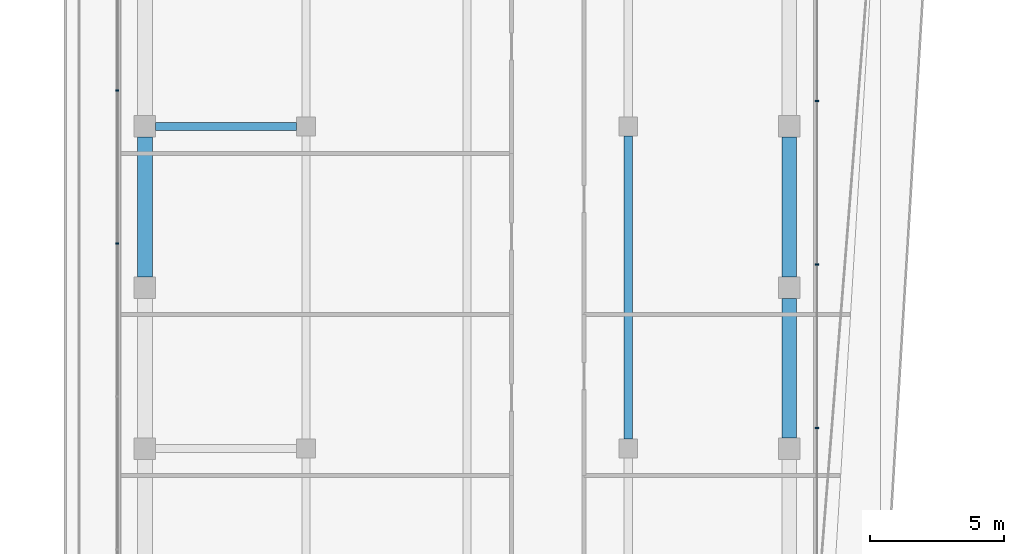
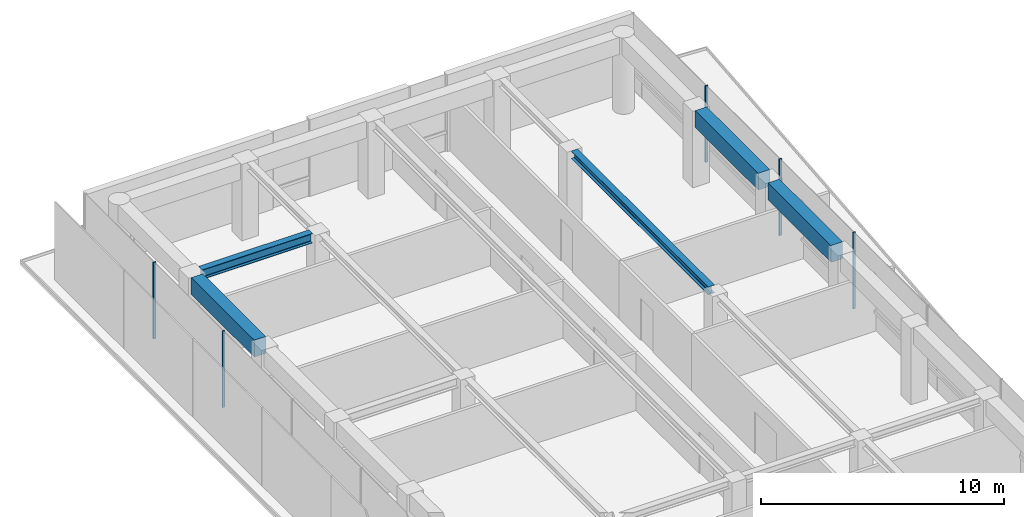
# One storey, part 12 of 19: 5 beams, 5 members, 2 elements without a shape of their own.
"""IFC4 building model written with IfcOpenShell, lengths in metres."""

from ifc_helpers import new_model, si_unit, direction, frame, origin, origin_2d, place, context, subcontext, project, spatial, rectangle, i_section, extrude, material, layer, layer_set, material_profile, profile_set, type_object, element, aggregate, save


model = new_model("IFC4")

# Units and contexts
model_context = context("Model", 3, precision=1e-05, world=origin(), true_north=direction((0.0, 1.0)))
body_context = subcontext(model_context, "Body", "Model", "MODEL_VIEW")
ifc_project = project(units=[si_unit("LENGTHUNIT", "METRE"), si_unit("AREAUNIT", "SQUARE_METRE"), si_unit("VOLUMEUNIT", "CUBIC_METRE"), si_unit("PLANEANGLEUNIT", "RADIAN"), si_unit("MASSUNIT", "GRAM", prefix="KILO")], contexts=[model_context])

# Site, building, storey
site_placement = place(None, origin())
site = spatial("IfcSite", under=ifc_project, at=site_placement, CompositionType="ELEMENT")
building_placement = place(site_placement, origin())
building = spatial("IfcBuilding", under=site, at=building_placement, Name="Welwitschia Terrace Campus", CompositionType="ELEMENT")
storey_placement = place(building_placement, frame((0.0, 0.0, 243.199951171875)))
storey = spatial("IfcBuildingStorey", under=building, at=storey_placement, Name="L54", CompositionType="ELEMENT", Elevation=243.199951171875)

# Beam
ifc_material_1 = material(Name="Steel S355", Category="steel")
ifc_material_profile_1 = material_profile(ifc_material_1, i_section(OverallWidth=0.300048828125, OverallDepth=0.389892578125, WebThickness=0.010986328125, FlangeThickness=0.01904296875, FilletRadius=0.027099609375, at=origin_2d()))
ifc_profile_set_1 = profile_set([ifc_material_profile_1], Name="Steel S355")
beam_type_1 = type_object("IfcBeamType", Name="Interior girder HE 400 A", PredefinedType="BEAM", material=ifc_profile_set_1)
beam_1_placement = place(storey_placement, frame((18.0, 52.3505859375, 3.655029296875), z_axis=(0.0, 1.0, 0.0), x_axis=(-1.0, 0.0, 0.0)))
element("IfcBeam", 1, at=beam_1_placement, inside=storey, type_object=beam_type_1, Name="Girder GB5", PredefinedType="BEAM", context=body_context, shape_type="SweptSolid", body=[
    extrude(i_section(OverallWidth=0.300048828125, OverallDepth=0.389892578125, WebThickness=0.010986328125, FlangeThickness=0.01904296875, FilletRadius=0.027099609375, at=origin_2d()), origin(), (0.0, 0.0, 1.0), 11.298828125),
])

# Curtain wall, members
ifc_material_2 = material(Name="Bronze anodised aluminium", Category="aluminium")
ifc_layer = layer(ifc_material_2, 0.1201171875)
ifc_layer_set = layer_set([ifc_layer], Name="Bronze anodised aluminium")
curtain_wall_type = type_object("IfcCurtainWallType", Name="Curtain wall CW2 tower 6000", PredefinedType="NOTDEFINED", material=ifc_layer_set)
curtain_wall_1_placement = place(storey_placement, origin())
curtain_wall_1 = element("IfcCurtainWall", 2, at=curtain_wall_1_placement, inside=storey, type_object=curtain_wall_type, Name="CW L54.6.0", PredefinedType="NOTDEFINED")
ifc_material_3 = material(Name="Bronze anodised aluminium", Category="aluminium")
ifc_material_profile_2 = material_profile(ifc_material_3, rectangle(XDim=0.1201171875, YDim=0.06005859375, at=origin_2d()))
ifc_profile_set_2 = profile_set([ifc_material_profile_2], Name="Bronze anodised aluminium")
member_type = type_object("IfcMemberType", Name="Mullion 60x120", PredefinedType="MULLION", material=ifc_profile_set_2)
member_1_placement = place(storey_placement, frame((25.030029296875, 52.771484375, 0.0), z_axis=(0.0, 0.0, 1.0), x_axis=(-1.0, 0.0, 0.0)))
member_1 = element("IfcMember", 3, at=member_1_placement, type_object=member_type, Name="Mullion L54.6.0.4", PredefinedType="MULLION", context=body_context, shape_type="SweptSolid", body=[
    extrude(rectangle(XDim=0.1201171875, YDim=0.06005859375, at=origin_2d()), origin(), (0.0, 0.0, 1.0), 3.85009765625),
])
member_2_placement = place(storey_placement, frame((25.030029296875, 58.857666015625, 0.0), z_axis=(0.0, 0.0, 1.0), x_axis=(-1.0, 0.0, 0.0)))
member_2 = element("IfcMember", 4, at=member_2_placement, type_object=member_type, Name="Mullion L54.6.0.5", PredefinedType="MULLION", context=body_context, shape_type="SweptSolid", body=[
    extrude(rectangle(XDim=0.1201171875, YDim=0.06005859375, at=origin_2d()), origin(), (0.0, 0.0, 1.0), 3.85009765625),
])
member_3_placement = place(storey_placement, frame((25.030029296875, 64.94384765625, 0.0), z_axis=(0.0, 0.0, 1.0), x_axis=(-1.0, 0.0, 0.0)))
member_3 = element("IfcMember", 5, at=member_3_placement, type_object=member_type, Name="Mullion L54.6.0.6", PredefinedType="MULLION", context=body_context, shape_type="SweptSolid", body=[
    extrude(rectangle(XDim=0.1201171875, YDim=0.06005859375, at=origin_2d()), origin(), (0.0, 0.0, 1.0), 3.85009765625),
])
aggregate(curtain_wall_1, [member_1, member_2, member_3])

curtain_wall_2_placement = place(storey_placement, origin())
curtain_wall_2 = element("IfcCurtainWall", 6, at=curtain_wall_2_placement, inside=storey, type_object=curtain_wall_type, Name="CW L54.8.0", PredefinedType="NOTDEFINED")
member_4_placement = place(storey_placement, frame((-1.030029296875, 65.332763671875, 0.0), z_axis=(0.0, 0.0, 1.0), x_axis=(1.0, 0.0, 0.0)))
member_4 = element("IfcMember", 7, at=member_4_placement, type_object=member_type, Name="Mullion L54.8.0.1", PredefinedType="MULLION", context=body_context, shape_type="SweptSolid", body=[
    extrude(rectangle(XDim=0.1201171875, YDim=0.06005859375, at=origin_2d()), origin(), (0.0, 0.0, 1.0), 3.85009765625),
])
member_5_placement = place(storey_placement, frame((-1.030029296875, 59.635498046875, 0.0), z_axis=(0.0, 0.0, 1.0), x_axis=(1.0, 0.0, 0.0)))
member_5 = element("IfcMember", 8, at=member_5_placement, type_object=member_type, Name="Mullion L54.8.0.2", PredefinedType="MULLION", context=body_context, shape_type="SweptSolid", body=[
    extrude(rectangle(XDim=0.1201171875, YDim=0.06005859375, at=origin_2d()), origin(), (0.0, 0.0, 1.0), 3.85009765625),
])
aggregate(curtain_wall_2, [member_4, member_5])

# Beams
ifc_material_4 = material(Name="Steel S355", Category="steel")
ifc_material_profile_3 = material_profile(ifc_material_4, i_section(OverallWidth=0.300048828125, OverallDepth=0.489990234375, WebThickness=0.011962890625, FlangeThickness=0.02294921875, FilletRadius=0.027099609375, at=origin_2d()))
ifc_profile_set_3 = profile_set([ifc_material_profile_3], Name="Steel S355")
beam_type_2 = type_object("IfcBeamType", Name="Primary beam HE 500 A", PredefinedType="BEAM", material=ifc_profile_set_3)
beam_2_placement = place(storey_placement, frame((0.400390625, 64.0, 3.60498046875), z_axis=(1.0, 0.0, 0.0), x_axis=(0.0, 1.0, 0.0)))
element("IfcBeam", 9, at=beam_2_placement, inside=storey, type_object=beam_type_2, Name="Primary beam PB5", PredefinedType="BEAM", context=body_context, shape_type="SweptSolid", body=[
    extrude(i_section(OverallWidth=0.300048828125, OverallDepth=0.489990234375, WebThickness=0.011962890625, FlangeThickness=0.02294921875, FilletRadius=0.027099609375, at=origin_2d()), origin(), (0.0, 0.0, 1.0), 5.2490234375),
])
ifc_material_5 = material(Name="Concrete C50/60", Category="concrete")
ifc_material_profile_4 = material_profile(ifc_material_5, rectangle(XDim=0.550048828125, YDim=0.85009765625, at=origin_2d()))
ifc_profile_set_4 = profile_set([ifc_material_profile_4], Name="Concrete C50/60")
beam_type_3 = type_object("IfcBeamType", Name="Ring spandrel 550x850", PredefinedType="SPANDREL", material=ifc_profile_set_4)
for number, where, z_axis, x_axis, name in (
    (10, (24.0, 52.400390625, 3.425048828125), (0.0, 1.0, 0.0), (-1.0, 0.0, 0.0), "Spandrel SP3"),
    (11, (24.0, 58.400390625, 3.425048828125), (0.0, 1.0, 0.0), (-1.0, 0.0, 0.0), "Spandrel SP3"),
    (12, (0.0, 63.599609375, 3.425048828125), (0.0, -1.0, 0.0), (1.0, 0.0, 0.0), "Spandrel SP3"),
):
    element("IfcBeam", number, at=place(storey_placement, frame(where, z_axis=z_axis, x_axis=x_axis)), inside=storey, type_object=beam_type_3, Name=name, PredefinedType="SPANDREL", context=body_context, shape_type="SweptSolid", body=[
        extrude(rectangle(XDim=0.550048828125, YDim=0.85009765625, at=origin_2d()), origin(), (0.0, 0.0, 1.0), 5.19921875),
    ])

save(model, "model.ifc")
